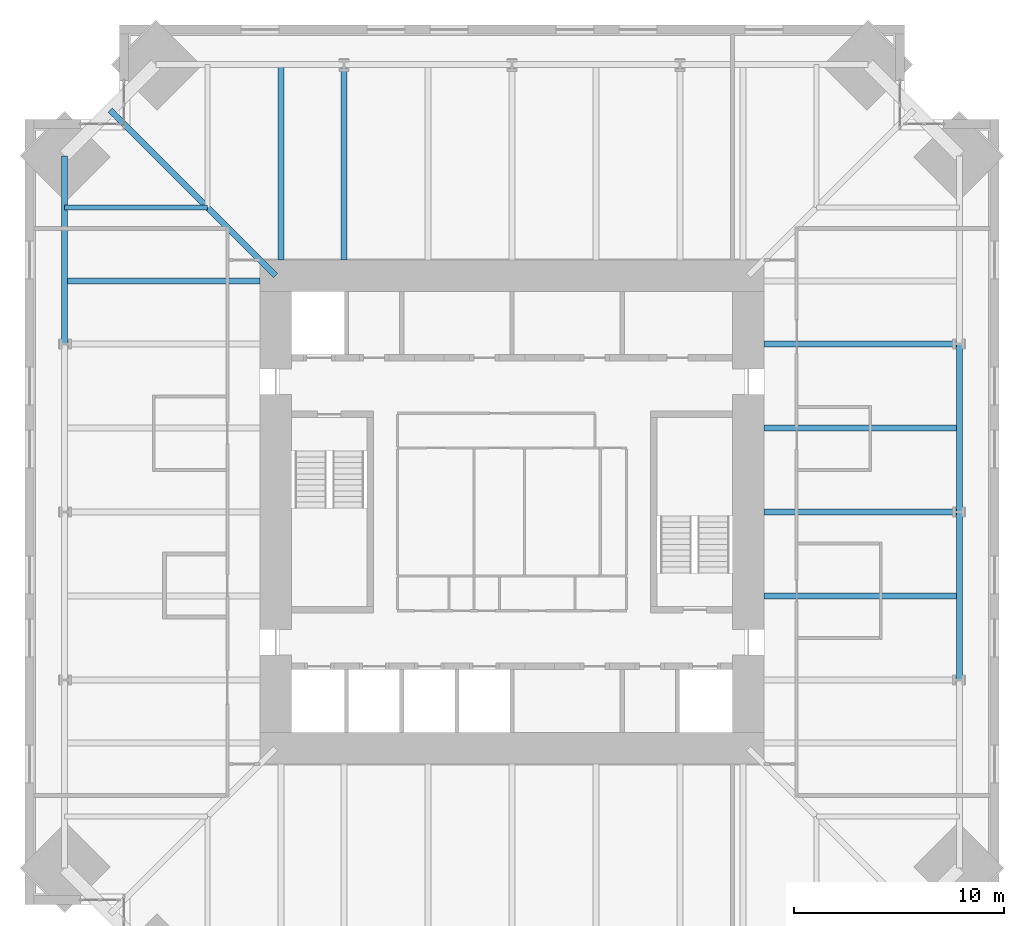
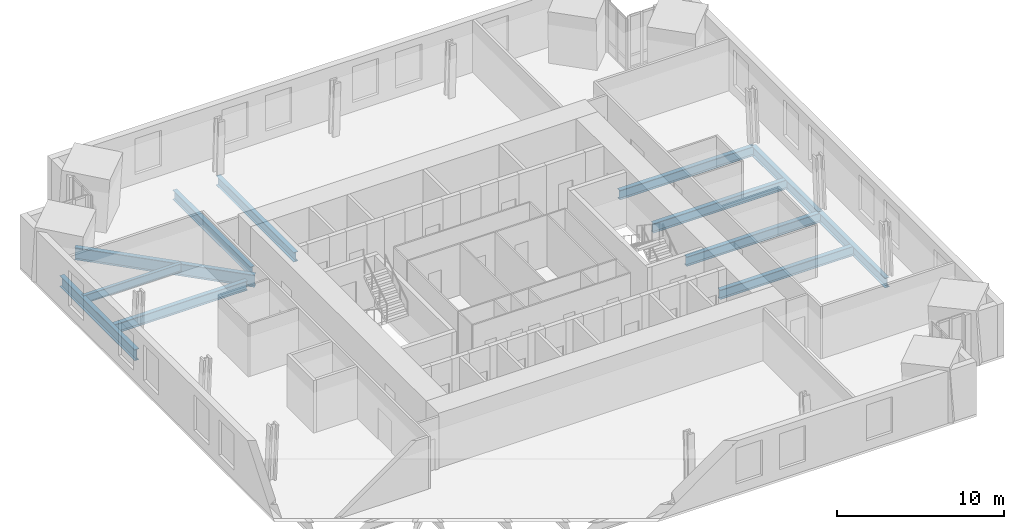
# One storey, part 5 of 15: 12 beams.
"""IFC4 building model written with IfcOpenShell, lengths in metres."""

from ifc_helpers import new_model, si_unit, direction, frame, origin, origin_2d, place, context, subcontext, project, spatial, i_section, extrude, material, material_profile, profile_set, type_object, element, save


model = new_model("IFC4")

# Units and contexts
model_context = context("Model", 3, precision=1e-05, world=origin(), true_north=direction((0.0, 1.0)))
body_context = subcontext(model_context, "Body", "Model", "MODEL_VIEW")
ifc_project = project(units=[si_unit("LENGTHUNIT", "METRE"), si_unit("AREAUNIT", "SQUARE_METRE"), si_unit("VOLUMEUNIT", "CUBIC_METRE"), si_unit("PLANEANGLEUNIT", "RADIAN"), si_unit("MASSUNIT", "GRAM", prefix="KILO")], contexts=[model_context])

# Site, building, storey
site_placement = place(None, origin())
site = spatial("IfcSite", under=ifc_project, at=site_placement, CompositionType="ELEMENT")
building_placement = place(site_placement, origin())
building = spatial("IfcBuilding", under=site, at=building_placement, Name="Peilmerk Tower", CompositionType="ELEMENT")
storey_placement = place(building_placement, frame((0.0, 0.0, 237.800048828125)))
storey = spatial("IfcBuildingStorey", under=building, at=storey_placement, Name="L52", CompositionType="ELEMENT", Elevation=237.800048828125)

# Beams
ifc_material = material(Name="Steel S355", Category="steel")
ifc_material_profile_1 = material_profile(ifc_material, i_section(OverallWidth=0.219970703125, OverallDepth=0.60009765625, WebThickness=0.011962890625, FlangeThickness=0.01904296875, at=origin_2d()), Name="IPE 600")
ifc_profile_set_1 = profile_set([ifc_material_profile_1], Name="Steel S355")
beam_type_1 = type_object("IfcBeamType", Name="B10 IPE 600 floor beam", PredefinedType="BEAM", material=ifc_profile_set_1)
beam_1_placement = place(storey_placement, frame((-14.5, 14.5, -0.469970703125), z_axis=(-1.0, 0.0, 0.0), x_axis=(0.0, -1.0, 0.0)))
element("IfcBeam", 1, at=beam_1_placement, inside=storey, type_object=beam_type_1, Name="Floor beam L52", PredefinedType="BEAM", context=body_context, shape_type="SweptSolid", body=[
    extrude(i_section(OverallWidth=0.219970703125, OverallDepth=0.60009765625, WebThickness=0.011962890625, FlangeThickness=0.01904296875, at=origin_2d()), origin(), (0.0, 0.0, 1.0), 6.80810546875),
])
ifc_material_profile_2 = material_profile(ifc_material, i_section(OverallWidth=0.302978515625, OverallDepth=0.81396484375, WebThickness=0.02099609375, FlangeThickness=0.0400390625, at=origin_2d()), Name="HEM 800")
ifc_profile_set_2 = profile_set([ifc_material_profile_2], Name="Steel S355")
beam_type_2 = type_object("IfcBeamType", Name="B15 HEM 800 edge beam", PredefinedType="SPANDREL", material=ifc_profile_set_2)
beam_2_placement = place(storey_placement, frame((-21.30810546875, 16.9580078125, -0.5771484375), z_axis=(0.0, -1.0, 0.0), x_axis=(1.0, 0.0, 0.0)))
element("IfcBeam", 2, at=beam_2_placement, inside=storey, type_object=beam_type_2, Name="Edge beam L52", PredefinedType="SPANDREL", context=body_context, shape_type="SweptSolid", body=[
    extrude(i_section(OverallWidth=0.302978515625, OverallDepth=0.81396484375, WebThickness=0.02099609375, FlangeThickness=0.0400390625, at=origin_2d()), origin(), (0.0, 0.0, 1.0), 8.9580078125),
])
ifc_material_profile_3 = material_profile(ifc_material, i_section(OverallWidth=0.300048828125, OverallDepth=0.68994140625, WebThickness=0.014404296875, FlangeThickness=0.027099609375, at=origin_2d()), Name="HEA 700")
ifc_profile_set_3 = profile_set([ifc_material_profile_3], Name="Steel S355")
beam_type_3 = type_object("IfcBeamType", Name="B16 HEA 700 floor beam", PredefinedType="BEAM", material=ifc_profile_set_3)
for number, where, z_axis, x_axis, name in (
    (3, (-8.0, 12.0, -0.51513671875), (0.0, 1.0, 0.0), (-1.0, 0.0, 0.0), "Floor beam L52"),
    (4, (-11.0, 12.0, -0.51513671875), (0.0, 1.0, 0.0), (-1.0, 0.0, 0.0), "Floor beam L52"),
    (5, (12.0, -4.0, -0.51513671875), (1.0, 0.0, 0.0), (0.0, 1.0, 0.0), "Floor beam L52"),
    (6, (12.0, 0.0, -0.51513671875), (1.0, 0.0, 0.0), (0.0, 1.0, 0.0), "Floor beam L52"),
    (7, (12.0, 4.0, -0.51513671875), (1.0, 0.0, 0.0), (0.0, 1.0, 0.0), "Floor beam L52"),
    (8, (12.0, 8.0, -0.51513671875), (1.0, 0.0, 0.0), (0.0, 1.0, 0.0), "Floor beam L52"),
    (9, (-12.0, 11.0, -0.51513671875), (-1.0, 0.0, 0.0), (0.0, -1.0, 0.0), "Floor beam L52"),
):
    element("IfcBeam", number, at=place(storey_placement, frame(where, z_axis=z_axis, x_axis=x_axis)), inside=storey, type_object=beam_type_3, Name=name, PredefinedType="BEAM", context=body_context, shape_type="SweptSolid", body=[
        extrude(i_section(OverallWidth=0.300048828125, OverallDepth=0.68994140625, WebThickness=0.014404296875, FlangeThickness=0.027099609375, at=origin_2d()), origin(), (0.0, 0.0, 1.0), 9.30810546875),
    ])
ifc_material_profile_4 = material_profile(ifc_material, i_section(OverallWidth=0.303955078125, OverallDepth=0.716064453125, WebThickness=0.02099609375, FlangeThickness=0.0400390625, at=origin_2d()), Name="HEM 700")
ifc_profile_set_4 = profile_set([ifc_material_profile_4], Name="Steel S355")
beam_type_4 = type_object("IfcBeamType", Name="B30 HEM 700 edge beam", PredefinedType="SPANDREL", material=ifc_profile_set_4)
for number, where, z_axis, x_axis, name in (
    (10, (21.30810546875, -8.0, -0.528076171875), (0.0, 1.0, 0.0), (-1.0, 0.0, 0.0), "Edge beam L52"),
    (11, (21.30810546875, 0.0, -0.528076171875), (0.0, 1.0, 0.0), (-1.0, 0.0, 0.0), "Edge beam L52"),
):
    element("IfcBeam", number, at=place(storey_placement, frame(where, z_axis=z_axis, x_axis=x_axis)), inside=storey, type_object=beam_type_4, Name=name, PredefinedType="SPANDREL", context=body_context, shape_type="SweptSolid", body=[
        extrude(i_section(OverallWidth=0.303955078125, OverallDepth=0.716064453125, WebThickness=0.02099609375, FlangeThickness=0.0400390625, at=origin_2d()), origin(), (0.0, 0.0, 1.0), 8.0),
    ])
ifc_material_profile_5 = material_profile(ifc_material, i_section(OverallWidth=0.300048828125, OverallDepth=0.889892578125, WebThickness=0.01611328125, FlangeThickness=0.030029296875, at=origin_2d()), Name="HEA 900")
ifc_profile_set_5 = profile_set([ifc_material_profile_5], Name="Steel S355")
beam_type_5 = type_object("IfcBeamType", Name="B4 HEA 900 floor beam", PredefinedType="BEAM", material=ifc_profile_set_5)
beam_3_placement = place(storey_placement, frame((-11.25, 11.25, -0.614990234375), z_axis=(-0.707106781187, 0.707106781187, 0.0), x_axis=(-0.707106781187, -0.707106781187, 0.0)))
element("IfcBeam", 12, at=beam_3_placement, inside=storey, type_object=beam_type_5, Name="Corner girder L52", PredefinedType="BEAM", context=body_context, shape_type="SweptSolid", body=[
    extrude(i_section(OverallWidth=0.300048828125, OverallDepth=0.889892578125, WebThickness=0.01611328125, FlangeThickness=0.030029296875, at=origin_2d()), origin(), (0.0, 0.0, 1.0), 11.1484375),
])

save(model, "model.ifc")
